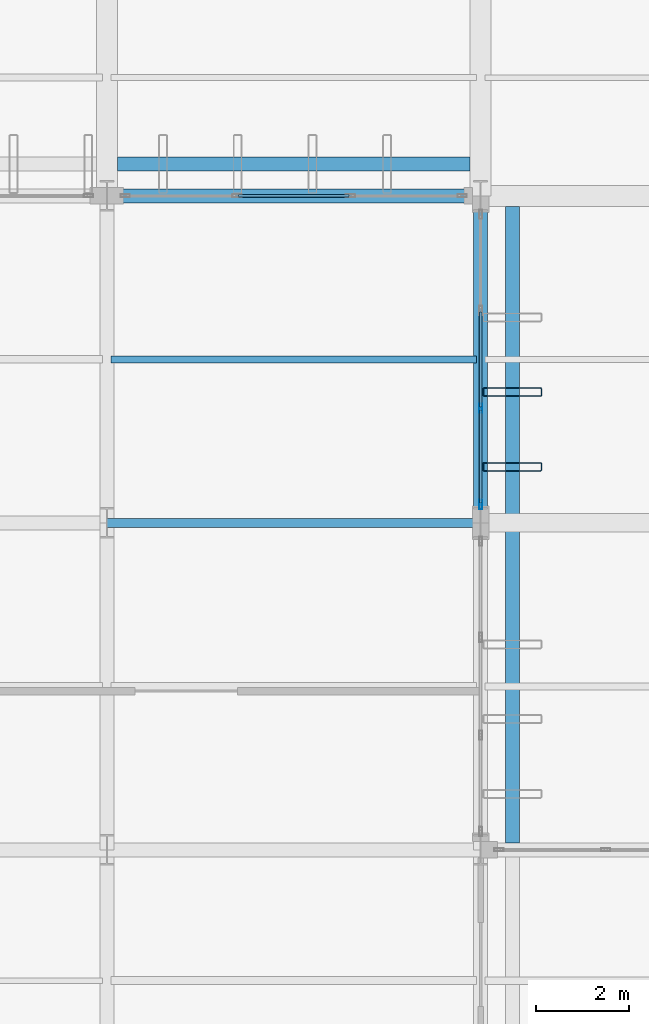
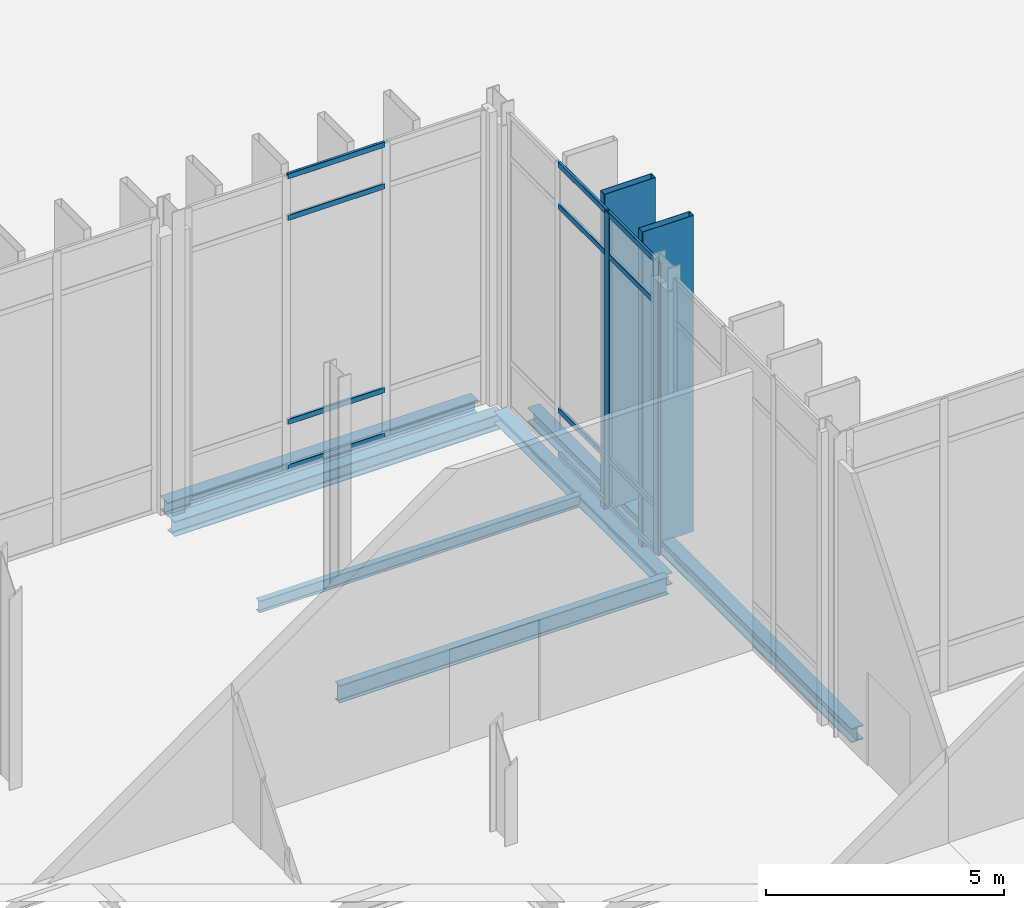
# One storey, part 103 of 176: 16 members, 6 beams, 2 elements without a shape of their own.
"""IFC4 building model written with IfcOpenShell, lengths in metres."""

from ifc_helpers import new_model, si_unit, direction, frame, origin, origin_2d, place, context, subcontext, project, spatial, hollow_rectangle, i_section, extrude, material, layer, layer_set, material_profile, profile_set, type_object, element, aggregate, save


model = new_model("IFC4")

# Units and contexts
model_context = context("Model", 3, precision=1e-05, world=origin(), true_north=direction((0.0, 1.0)))
body_context = subcontext(model_context, "Body", "Model", "MODEL_VIEW")
ifc_project = project(units=[si_unit("LENGTHUNIT", "METRE"), si_unit("AREAUNIT", "SQUARE_METRE"), si_unit("VOLUMEUNIT", "CUBIC_METRE"), si_unit("PLANEANGLEUNIT", "RADIAN"), si_unit("MASSUNIT", "GRAM", prefix="KILO")], contexts=[model_context])

# Site, building, storey
site_placement = place(None, origin())
site = spatial("IfcSite", under=ifc_project, at=site_placement, CompositionType="ELEMENT")
building_placement = place(site_placement, origin())
building = spatial("IfcBuilding", under=site, at=building_placement, Name="Vekula Escarpment Museum", CompositionType="ELEMENT")
storey_placement = place(building_placement, origin())
storey = spatial("IfcBuildingStorey", under=building, at=storey_placement, Name="L01", CompositionType="ELEMENT", Elevation=0.0)

# Beams
ifc_material_1 = material(Name="Steel S355", Category="steel")
ifc_material_profile_1 = material_profile(ifc_material_1, i_section(OverallWidth=0.300048828125, OverallDepth=0.360107421875, WebThickness=0.012451171875, FlangeThickness=0.0224609375, FilletRadius=0.027099609375, at=origin_2d()), Name="HEB 360")
ifc_profile_set_1 = profile_set([ifc_material_profile_1], Name="Steel S355")
beam_type_1 = type_object("IfcBeamType", Name="BM-GIRD-HEB360", PredefinedType="BEAM", material=ifc_profile_set_1)
beam_1_placement = place(storey_placement, frame((118.22509765625, 91.080078125, -0.47998046875), z_axis=(1.0, 0.0, 0.0), x_axis=(0.0, 1.0, 0.0)))
element("IfcBeam", 1, at=beam_1_placement, inside=storey, type_object=beam_type_1, Name="Solar Fin Sill Girder 016", PredefinedType="BEAM", context=body_context, shape_type="SweptSolid", body=[
    extrude(i_section(OverallWidth=0.300048828125, OverallDepth=0.360107421875, WebThickness=0.012451171875, FlangeThickness=0.0224609375, FilletRadius=0.027099609375, at=origin_2d()), origin(), (0.0, 0.0, 1.0), 7.5498046875),
])
beam_2_placement = place(storey_placement, frame((126.679931640625, 76.550048828125, -0.47998046875), z_axis=(0.0, 1.0, 0.0), x_axis=(-1.0, 0.0, 0.0)))
element("IfcBeam", 2, at=beam_2_placement, inside=storey, type_object=beam_type_1, Name="Solar Fin Sill Girder 022", PredefinedType="BEAM", context=body_context, shape_type="SweptSolid", body=[
    extrude(i_section(OverallWidth=0.300048828125, OverallDepth=0.360107421875, WebThickness=0.012451171875, FlangeThickness=0.0224609375, FilletRadius=0.027099609375, at=origin_2d()), origin(), (0.0, 0.0, 1.0), 13.625),
])
ifc_material_2 = material(Name="Steel S355", Category="steel")
ifc_material_profile_2 = material_profile(ifc_material_2, i_section(OverallWidth=0.18994140625, OverallDepth=0.449951171875, WebThickness=0.009521484375, FlangeThickness=0.0146484375, FilletRadius=0.02099609375, at=origin_2d()), Name="IPE 450")
ifc_profile_set_2 = profile_set([ifc_material_profile_2], Name="Steel S355")
beam_type_2 = type_object("IfcBeamType", Name="BM-GIRD-IPE450", PredefinedType="BEAM", material=ifc_profile_set_2)
beam_3_placement = place(storey_placement, frame((118.0, 83.39990234375, -0.52490234375), z_axis=(1.0, 0.0, 0.0), x_axis=(0.0, 1.0, 0.0)))
element("IfcBeam", 3, at=beam_3_placement, inside=storey, type_object=beam_type_2, Name="Beam X L01 0244", PredefinedType="BEAM", context=body_context, shape_type="SweptSolid", body=[
    extrude(i_section(OverallWidth=0.18994140625, OverallDepth=0.449951171875, WebThickness=0.009521484375, FlangeThickness=0.0146484375, FilletRadius=0.02099609375, at=origin_2d()), origin(), (0.0, 0.0, 1.0), 8.0),
])
ifc_material_3 = material(Name="Steel S355", Category="steel")
ifc_material_profile_3 = material_profile(ifc_material_3, i_section(OverallWidth=0.14990234375, OverallDepth=0.300048828125, WebThickness=0.007080078125, FlangeThickness=0.0107421875, FilletRadius=0.014892578125, at=origin_2d()), Name="IPE 300")
ifc_profile_set_3 = profile_set([ifc_material_profile_3], Name="Steel S355")
beam_type_3 = type_object("IfcBeamType", Name="BM-JST-IPE300", PredefinedType="JOIST", material=ifc_profile_set_3)
beam_4_placement = place(storey_placement, frame((118.090087890625, 86.89990234375, -0.449951171875), z_axis=(1.0, 0.0, 0.0), x_axis=(0.0, 1.0, 0.0)))
element("IfcBeam", 4, at=beam_4_placement, inside=storey, type_object=beam_type_3, Name="Secondary Joist L01 0400", PredefinedType="JOIST", context=body_context, shape_type="SweptSolid", body=[
    extrude(i_section(OverallWidth=0.14990234375, OverallDepth=0.300048828125, WebThickness=0.007080078125, FlangeThickness=0.0107421875, FilletRadius=0.014892578125, at=origin_2d()), origin(), (0.0, 0.0, 1.0), 7.81982421875),
])
ifc_material_4 = material(Name="Steel S355", Category="steel")
ifc_material_profile_4 = material_profile(ifc_material_4, i_section(OverallWidth=0.300048828125, OverallDepth=0.2900390625, WebThickness=0.008544921875, FlangeThickness=0.013916015625, FilletRadius=0.027099609375, at=origin_2d()), Name="HEA 300")
ifc_profile_set_4 = profile_set([ifc_material_profile_4], Name="Steel S355")
beam_type_4 = type_object("IfcBeamType", Name="BM-SPAN-HEA300", PredefinedType="SPANDREL", material=ifc_profile_set_4)
beam_5_placement = place(storey_placement, frame((126.0, 83.39990234375, -0.445068359375), z_axis=(0.0, 1.0, 0.0), x_axis=(-1.0, 0.0, 0.0)))
element("IfcBeam", 5, at=beam_5_placement, inside=storey, type_object=beam_type_4, Name="Beam Y L01 0660", PredefinedType="SPANDREL", context=body_context, shape_type="SweptSolid", body=[
    extrude(i_section(OverallWidth=0.300048828125, OverallDepth=0.2900390625, WebThickness=0.008544921875, FlangeThickness=0.013916015625, FilletRadius=0.027099609375, at=origin_2d()), origin(), (0.0, 0.0, 1.0), 7.0),
])
ifc_material_5 = material(Name="Steel S355", Category="steel")
ifc_material_profile_5 = material_profile(ifc_material_5, i_section(OverallWidth=0.300048828125, OverallDepth=0.389892578125, WebThickness=0.010986328125, FlangeThickness=0.01904296875, FilletRadius=0.027099609375, at=origin_2d()), Name="HEA 400")
ifc_profile_set_5 = profile_set([ifc_material_profile_5], Name="Steel S355")
beam_type_5 = type_object("IfcBeamType", Name="BM-SPAN-HEA400", PredefinedType="SPANDREL", material=ifc_profile_set_5)
beam_6_placement = place(storey_placement, frame((118.0, 90.39990234375, -0.4951171875), z_axis=(1.0, 0.0, 0.0), x_axis=(0.0, 1.0, 0.0)))
element("IfcBeam", 6, at=beam_6_placement, inside=storey, type_object=beam_type_5, Name="Beam X L01 0263", PredefinedType="SPANDREL", context=body_context, shape_type="SweptSolid", body=[
    extrude(i_section(OverallWidth=0.300048828125, OverallDepth=0.389892578125, WebThickness=0.010986328125, FlangeThickness=0.01904296875, FilletRadius=0.027099609375, at=origin_2d()), origin(), (0.0, 0.0, 1.0), 8.0),
])

# Curtain wall, members
ifc_material_6 = material(Name="Aluminium thermally broken framing", Category="aluminium")
ifc_layer_1 = layer(ifc_material_6, 0.199951171875)
ifc_layer_set_1 = layer_set([ifc_layer_1], Name="Aluminium thermally broken framing")
curtain_wall_type_1 = type_object("IfcCurtainWallType", Name="CW-SYS-04", PredefinedType="NOTDEFINED", material=ifc_layer_set_1)
curtain_wall_1_placement = place(storey_placement, origin())
curtain_wall_1 = element("IfcCurtainWall", 7, at=curtain_wall_1_placement, inside=storey, type_object=curtain_wall_type_1, Name="Curtain Wall CW-L01-024", PredefinedType="NOTDEFINED")
ifc_material_7 = material(Name="Aluminium anodized mullion", Category="aluminium")
ifc_material_profile_6 = material_profile(ifc_material_7, hollow_rectangle(XDim=0.06494140625, YDim=0.199951171875, WallThickness=0.00390625, InnerFilletRadius=0.00390625, OuterFilletRadius=0.008056640625, at=origin_2d()), Name="ALU 200x65x4")
ifc_profile_set_6 = profile_set([ifc_material_profile_6], Name="Aluminium anodized mullion")
member_type_1 = type_object("IfcMemberType", Name="CW-MUL-200", PredefinedType="MULLION", material=ifc_profile_set_6)
member_1_placement = place(storey_placement, frame((126.0, 83.79248046875, 0.0), z_axis=(0.0, 0.0, 1.0), x_axis=(-1.0, 0.0, 0.0)))
member_1 = element("IfcMember", 8, at=member_1_placement, type_object=member_type_1, Name="CW-04 mullion 1", PredefinedType="MULLION", context=body_context, shape_type="SweptSolid", body=[
    extrude(hollow_rectangle(XDim=0.06494140625, YDim=0.199951171875, WallThickness=0.00390625, InnerFilletRadius=0.00390625, OuterFilletRadius=0.008056640625, at=origin_2d()), origin(), (0.0, 0.0, 1.0), 7.5400390625),
])
member_2_placement = place(storey_placement, frame((126.0, 85.853271484375, 0.0), z_axis=(0.0, 0.0, 1.0), x_axis=(-1.0, 0.0, 0.0)))
member_2 = element("IfcMember", 9, at=member_2_placement, type_object=member_type_1, Name="CW-04 mullion 2", PredefinedType="MULLION", context=body_context, shape_type="SweptSolid", body=[
    extrude(hollow_rectangle(XDim=0.06494140625, YDim=0.199951171875, WallThickness=0.00390625, InnerFilletRadius=0.00390625, OuterFilletRadius=0.008056640625, at=origin_2d()), origin(), (0.0, 0.0, 1.0), 7.5400390625),
])
ifc_material_8 = material(Name="Aluminium anodized transom", Category="aluminium")
ifc_material_profile_7 = material_profile(ifc_material_8, hollow_rectangle(XDim=0.06494140625, YDim=0.139892578125, WallThickness=0.00390625, InnerFilletRadius=0.00390625, OuterFilletRadius=0.008056640625, at=origin_2d()), Name="ALU 140x65x4")
ifc_profile_set_7 = profile_set([ifc_material_profile_7], Name="Aluminium anodized transom")
member_type_2 = type_object("IfcMemberType", Name="CW-TRN-140", PredefinedType="USERDEFINED", material=ifc_profile_set_7)
member_3_placement = place(storey_placement, frame((126.0, 83.824951171875, 0.032470703125), z_axis=(0.0, 1.0, 0.0), x_axis=(-1.0, 0.0, 0.0)))
member_3 = element("IfcMember", 10, at=member_3_placement, type_object=member_type_2, Name="CW-04 transom 1.1", ObjectType="TRANSOM", PredefinedType="USERDEFINED", context=body_context, shape_type="SweptSolid", body=[
    extrude(hollow_rectangle(XDim=0.06494140625, YDim=0.139892578125, WallThickness=0.00390625, InnerFilletRadius=0.00390625, OuterFilletRadius=0.008056640625, at=origin_2d()), origin(), (0.0, 0.0, 1.0), 1.995849609375),
])
member_4_placement = place(storey_placement, frame((126.0, 83.824951171875, 1.199951171875), z_axis=(0.0, 1.0, 0.0), x_axis=(-1.0, 0.0, 0.0)))
member_4 = element("IfcMember", 11, at=member_4_placement, type_object=member_type_2, Name="CW-04 transom 1.2", ObjectType="TRANSOM", PredefinedType="USERDEFINED", context=body_context, shape_type="SweptSolid", body=[
    extrude(hollow_rectangle(XDim=0.06494140625, YDim=0.139892578125, WallThickness=0.00390625, InnerFilletRadius=0.00390625, OuterFilletRadius=0.008056640625, at=origin_2d()), origin(), (0.0, 0.0, 1.0), 1.995849609375),
])
member_5_placement = place(storey_placement, frame((126.0, 83.824951171875, 6.43994140625), z_axis=(0.0, 1.0, 0.0), x_axis=(-1.0, 0.0, 0.0)))
member_5 = element("IfcMember", 12, at=member_5_placement, type_object=member_type_2, Name="CW-04 transom 1.3", ObjectType="TRANSOM", PredefinedType="USERDEFINED", context=body_context, shape_type="SweptSolid", body=[
    extrude(hollow_rectangle(XDim=0.06494140625, YDim=0.139892578125, WallThickness=0.00390625, InnerFilletRadius=0.00390625, OuterFilletRadius=0.008056640625, at=origin_2d()), origin(), (0.0, 0.0, 1.0), 1.995849609375),
])
member_6_placement = place(storey_placement, frame((126.0, 83.824951171875, 7.507568359375), z_axis=(0.0, 1.0, 0.0), x_axis=(-1.0, 0.0, 0.0)))
member_6 = element("IfcMember", 13, at=member_6_placement, type_object=member_type_2, Name="CW-04 transom 1.4", ObjectType="TRANSOM", PredefinedType="USERDEFINED", context=body_context, shape_type="SweptSolid", body=[
    extrude(hollow_rectangle(XDim=0.06494140625, YDim=0.139892578125, WallThickness=0.00390625, InnerFilletRadius=0.00390625, OuterFilletRadius=0.008056640625, at=origin_2d()), origin(), (0.0, 0.0, 1.0), 1.995849609375),
])
member_7_placement = place(storey_placement, frame((126.0, 85.8857421875, 0.032470703125), z_axis=(0.0, 1.0, 0.0), x_axis=(-1.0, 0.0, 0.0)))
member_7 = element("IfcMember", 14, at=member_7_placement, type_object=member_type_2, Name="CW-04 transom 2.1", ObjectType="TRANSOM", PredefinedType="USERDEFINED", context=body_context, shape_type="SweptSolid", body=[
    extrude(hollow_rectangle(XDim=0.06494140625, YDim=0.139892578125, WallThickness=0.00390625, InnerFilletRadius=0.00390625, OuterFilletRadius=0.008056640625, at=origin_2d()), origin(), (0.0, 0.0, 1.0), 2.0283203125),
])
member_8_placement = place(storey_placement, frame((126.0, 85.8857421875, 1.199951171875), z_axis=(0.0, 1.0, 0.0), x_axis=(-1.0, 0.0, 0.0)))
member_8 = element("IfcMember", 15, at=member_8_placement, type_object=member_type_2, Name="CW-04 transom 2.2", ObjectType="TRANSOM", PredefinedType="USERDEFINED", context=body_context, shape_type="SweptSolid", body=[
    extrude(hollow_rectangle(XDim=0.06494140625, YDim=0.139892578125, WallThickness=0.00390625, InnerFilletRadius=0.00390625, OuterFilletRadius=0.008056640625, at=origin_2d()), origin(), (0.0, 0.0, 1.0), 2.0283203125),
])
member_9_placement = place(storey_placement, frame((126.0, 85.8857421875, 6.43994140625), z_axis=(0.0, 1.0, 0.0), x_axis=(-1.0, 0.0, 0.0)))
member_9 = element("IfcMember", 16, at=member_9_placement, type_object=member_type_2, Name="CW-04 transom 2.3", ObjectType="TRANSOM", PredefinedType="USERDEFINED", context=body_context, shape_type="SweptSolid", body=[
    extrude(hollow_rectangle(XDim=0.06494140625, YDim=0.139892578125, WallThickness=0.00390625, InnerFilletRadius=0.00390625, OuterFilletRadius=0.008056640625, at=origin_2d()), origin(), (0.0, 0.0, 1.0), 2.0283203125),
])
member_10_placement = place(storey_placement, frame((126.0, 85.8857421875, 7.507568359375), z_axis=(0.0, 1.0, 0.0), x_axis=(-1.0, 0.0, 0.0)))
member_10 = element("IfcMember", 17, at=member_10_placement, type_object=member_type_2, Name="CW-04 transom 2.4", ObjectType="TRANSOM", PredefinedType="USERDEFINED", context=body_context, shape_type="SweptSolid", body=[
    extrude(hollow_rectangle(XDim=0.06494140625, YDim=0.139892578125, WallThickness=0.00390625, InnerFilletRadius=0.00390625, OuterFilletRadius=0.008056640625, at=origin_2d()), origin(), (0.0, 0.0, 1.0), 2.0283203125),
])
aggregate(curtain_wall_1, [member_1, member_2, member_3, member_4, member_5, member_6, member_7, member_8, member_9, member_10])

ifc_material_9 = material(Name="Aluminium thermally broken framing", Category="aluminium")
ifc_layer_2 = layer(ifc_material_9, 0.159912109375)
ifc_layer_set_2 = layer_set([ifc_layer_2], Name="Aluminium thermally broken framing")
curtain_wall_type_2 = type_object("IfcCurtainWallType", Name="CW-SYS-05", PredefinedType="NOTDEFINED", material=ifc_layer_set_2)
curtain_wall_2_placement = place(storey_placement, origin())
curtain_wall_2 = element("IfcCurtainWall", 18, at=curtain_wall_2_placement, inside=storey, type_object=curtain_wall_type_2, Name="Curtain Wall CW-L01-025", PredefinedType="NOTDEFINED")
member_11_placement = place(storey_placement, frame((123.180908203125, 90.39990234375, 0.032470703125), z_axis=(-1.0, 0.0, 0.0), x_axis=(0.0, -1.0, 0.0)))
member_11 = element("IfcMember", 19, at=member_11_placement, type_object=member_type_2, Name="CW-05 transom 2.1", ObjectType="TRANSOM", PredefinedType="USERDEFINED", context=body_context, shape_type="SweptSolid", body=[
    extrude(hollow_rectangle(XDim=0.06494140625, YDim=0.139892578125, WallThickness=0.00390625, InnerFilletRadius=0.00390625, OuterFilletRadius=0.008056640625, at=origin_2d()), origin(), (0.0, 0.0, 1.0), 2.36181640625),
])
member_12_placement = place(storey_placement, frame((123.180908203125, 90.39990234375, 1.199951171875), z_axis=(-1.0, 0.0, 0.0), x_axis=(0.0, -1.0, 0.0)))
member_12 = element("IfcMember", 20, at=member_12_placement, type_object=member_type_2, Name="CW-05 transom 2.2", ObjectType="TRANSOM", PredefinedType="USERDEFINED", context=body_context, shape_type="SweptSolid", body=[
    extrude(hollow_rectangle(XDim=0.06494140625, YDim=0.139892578125, WallThickness=0.00390625, InnerFilletRadius=0.00390625, OuterFilletRadius=0.008056640625, at=origin_2d()), origin(), (0.0, 0.0, 1.0), 2.36181640625),
])
member_13_placement = place(storey_placement, frame((123.180908203125, 90.39990234375, 6.43994140625), z_axis=(-1.0, 0.0, 0.0), x_axis=(0.0, -1.0, 0.0)))
member_13 = element("IfcMember", 21, at=member_13_placement, type_object=member_type_2, Name="CW-05 transom 2.3", ObjectType="TRANSOM", PredefinedType="USERDEFINED", context=body_context, shape_type="SweptSolid", body=[
    extrude(hollow_rectangle(XDim=0.06494140625, YDim=0.139892578125, WallThickness=0.00390625, InnerFilletRadius=0.00390625, OuterFilletRadius=0.008056640625, at=origin_2d()), origin(), (0.0, 0.0, 1.0), 2.36181640625),
])
member_14_placement = place(storey_placement, frame((123.180908203125, 90.39990234375, 7.507568359375), z_axis=(-1.0, 0.0, 0.0), x_axis=(0.0, -1.0, 0.0)))
member_14 = element("IfcMember", 22, at=member_14_placement, type_object=member_type_2, Name="CW-05 transom 2.4", ObjectType="TRANSOM", PredefinedType="USERDEFINED", context=body_context, shape_type="SweptSolid", body=[
    extrude(hollow_rectangle(XDim=0.06494140625, YDim=0.139892578125, WallThickness=0.00390625, InnerFilletRadius=0.00390625, OuterFilletRadius=0.008056640625, at=origin_2d()), origin(), (0.0, 0.0, 1.0), 2.36181640625),
])
aggregate(curtain_wall_2, [member_11, member_12, member_13, member_14])

# Members
ifc_material_10 = material(Name="Steel S355 weathered bronze solar fin", Category="steel")
ifc_material_profile_8 = material_profile(ifc_material_10, hollow_rectangle(XDim=0.179931640625, YDim=1.25, WallThickness=0.010009765625, InnerFilletRadius=0.010009765625, OuterFilletRadius=0.02001953125, at=origin_2d()), Name="RHS 1250x180x10")
ifc_profile_set_8 = profile_set([ifc_material_profile_8], Name="Steel S355 weathered bronze solar fin")
member_type_3 = type_object("IfcMemberType", Name="MB-SOLAR-FIN", PredefinedType="USERDEFINED", material=ifc_profile_set_8)
for number, where, z_axis, x_axis, name in (
    (23, (126.679931640625, 84.60009765625, -0.320068359375), (0.0, 0.0, 1.0), (0.0, 1.0, 0.0), "Great Hall Vertical Solar Fin 0401"),
    (24, (126.679931640625, 86.199951171875, -0.320068359375), (0.0, 0.0, 1.0), (0.0, 1.0, 0.0), "Great Hall Vertical Solar Fin 0406"),
):
    element("IfcMember", number, at=place(storey_placement, frame(where, z_axis=z_axis, x_axis=x_axis)), inside=storey, type_object=member_type_3, Name=name, ObjectType="SOLAR FIN", PredefinedType="USERDEFINED", context=body_context, shape_type="SweptSolid", body=[
        extrude(hollow_rectangle(XDim=0.179931640625, YDim=1.25, WallThickness=0.010009765625, InnerFilletRadius=0.010009765625, OuterFilletRadius=0.02001953125, at=origin_2d()), origin(), (0.0, 0.0, 1.0), 8.1201171875),
    ])

save(model, "model.ifc")
